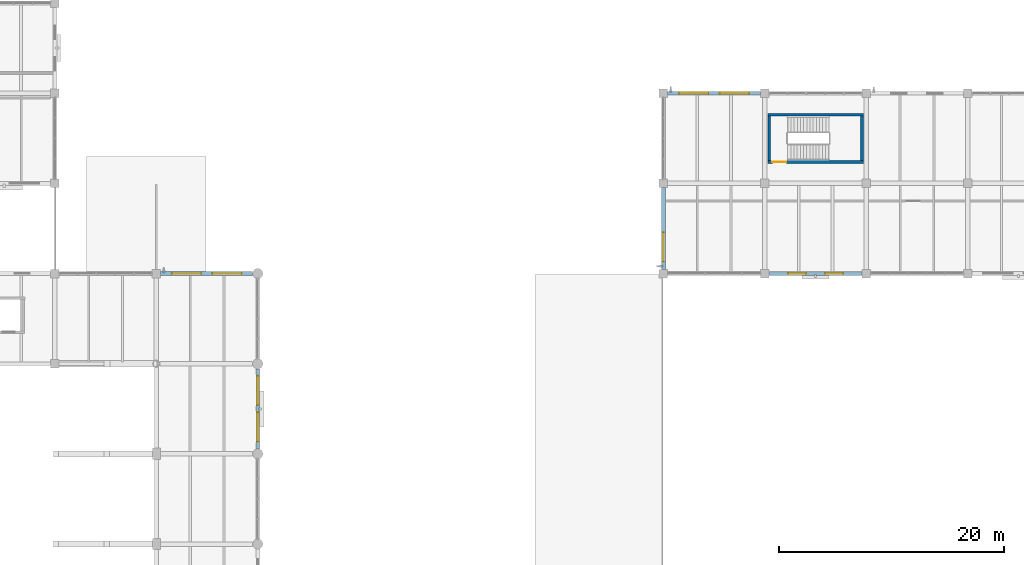
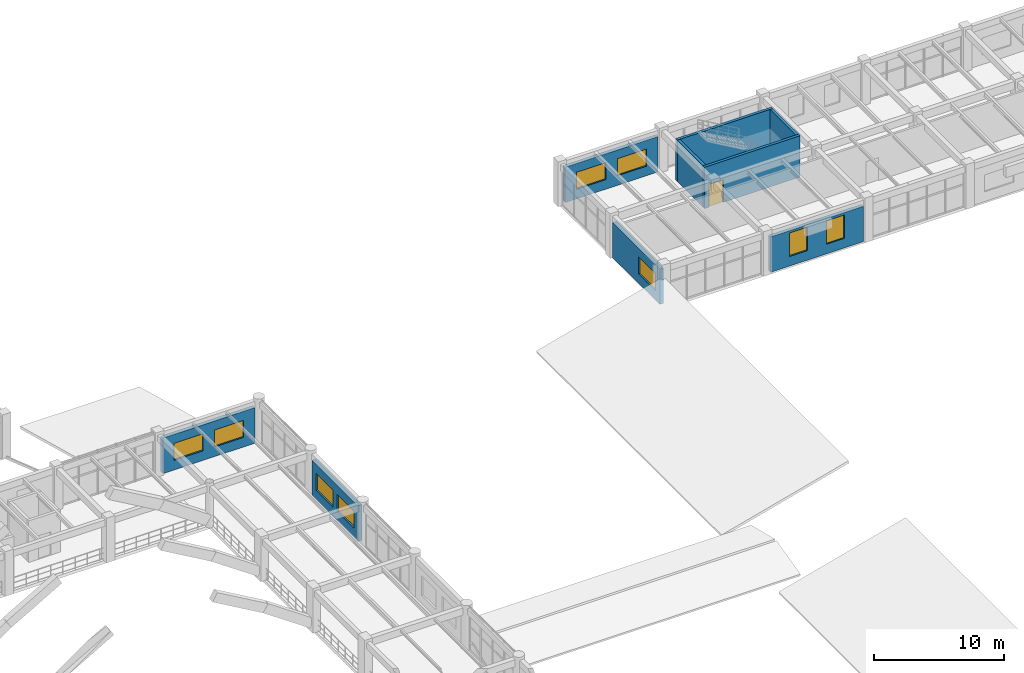
# One storey, part 127 of 148: 9 walls, 9 windows, 1 door, 10 openings.
"""IFC4 building model written with IfcOpenShell, lengths in metres."""

from ifc_helpers import new_model, si_unit, derived_unit, direction, frame, frame_2d, origin, place, context, subcontext, project, spatial, rectangle, extrude, material, layer, layer_set, type_object, element, fill, save


model = new_model("IFC4")

# Units and contexts
model_context = context("Model", 3, precision=1e-05, world=origin(), true_north=direction((0.0, 1.0)))
body_context = subcontext(model_context, "Body", "Model", "MODEL_VIEW")
ifc_project = project(units=[si_unit("LENGTHUNIT", "METRE"), si_unit("AREAUNIT", "SQUARE_METRE"), si_unit("VOLUMEUNIT", "CUBIC_METRE"), si_unit("PLANEANGLEUNIT", "RADIAN"), si_unit("MASSUNIT", "GRAM", prefix="KILO"), derived_unit("THERMALTRANSMITTANCEUNIT", [(si_unit("MASSUNIT", "GRAM", prefix="KILO"), 1), (si_unit("TIMEUNIT", "SECOND"), -3), (si_unit("THERMODYNAMICTEMPERATUREUNIT", "KELVIN"), -1)])], contexts=[model_context])

# Site, building, storey
site_placement = place(None, origin())
site = spatial("IfcSite", under=ifc_project, at=site_placement, CompositionType="ELEMENT")
building_placement = place(site_placement, origin())
building = spatial("IfcBuilding", under=site, at=building_placement, Name="Zhenchuan Archway Interchange", CompositionType="ELEMENT")
storey_placement = place(building_placement, frame((0.0, 0.0, 10.199951171875)))
storey = spatial("IfcBuildingStorey", under=building, at=storey_placement, Name="L02", CompositionType="ELEMENT", Elevation=10.199951171875)

# Wall, openings, windows
ifc_material_1 = material(Name="Granite Stone Cladding", Category="masonry")
ifc_layer_1 = layer(ifc_material_1, 0.320068359375)
ifc_layer_set_1 = layer_set([ifc_layer_1], Name="Granite Stone Cladding")
wall_type_1 = type_object("IfcWallType", Name="EW_GRANITE_320", PredefinedType="STANDARD", material=ifc_layer_set_1)
wall_1_placement = place(storey_placement, frame((125.626953125, 88.0, 0.0), z_axis=(0.0, 0.0, 1.0), x_axis=(-1.0, 0.0, 0.0)))
wall_1 = element("IfcWall", 1, at=wall_1_placement, inside=storey, type_object=wall_type_1, Name="Exterior wall L02-075", PredefinedType="STANDARD", context=body_context, shape_type="SweptSolid", body=[
    extrude(rectangle(XDim=8.25390625, YDim=0.320068359375, at=frame_2d((4.126953125, 0.0))), origin(), (0.0, 0.0, 1.0), 3.320068359375),
])
opening_1_placement = place(wall_1_placement, frame((1.684814453125, 0.0, 0.89990234375)))
opening_1 = element("IfcOpeningElement", 2, at=opening_1_placement, cuts=wall_1, Name="Opening W-04", PredefinedType="OPENING", context=body_context, shape_type="SweptSolid", body=[
    extrude(rectangle(XDim=1.60009765625, YDim=2.199951171875, at=frame_2d((0.800048828125, 1.10009765625))), frame((0.0, 0.171875, 0.0), z_axis=(0.0, -1.0, 0.0), x_axis=(1.0, 0.0, 0.0)), (0.0, 0.0, 1.0), 0.343994140625),
])
opening_2_placement = place(wall_1_placement, frame((4.96923828125, 0.0, 0.89990234375)))
opening_2 = element("IfcOpeningElement", 3, at=opening_2_placement, cuts=wall_1, Name="Opening W-04", PredefinedType="OPENING", context=body_context, shape_type="SweptSolid", body=[
    extrude(rectangle(XDim=1.60009765625, YDim=2.199951171875, at=frame_2d((0.800048828125, 1.10009765625))), frame((0.0, 0.171875, 0.0), z_axis=(0.0, -1.0, 0.0), x_axis=(1.0, 0.0, 0.0)), (0.0, 0.0, 1.0), 0.343994140625),
])
ifc_material_2 = material(Name="Double Low-E Insulated Glazing", Category="glass")
window_type_1 = type_object("IfcWindowType", Name="WN_PUNCH_1600x2200", PartitioningType="SINGLE_PANEL", PredefinedType="WINDOW", material=ifc_material_2)
window_1_placement = place(opening_1_placement, origin())
window_1 = element("IfcWindow", 4, at=window_1_placement, inside=storey, type_object=window_type_1, Name="Window L02-0222", OverallHeight=2.199951171875, OverallWidth=1.60009765625, PartitioningType="SINGLE_PANEL", PredefinedType="WINDOW", context=body_context, shape_type="SweptSolid", body=[
    extrude(rectangle(XDim=1.60009765625, YDim=2.199951171875, at=frame_2d((0.800048828125, 1.10009765625))), frame((0.0, 0.030029296875, 0.0), z_axis=(0.0, -1.0, 0.0), x_axis=(1.0, 0.0, 0.0)), (0.0, 0.0, 1.0), 0.06005859375),
])
fill(opening_1, window_1)
window_2_placement = place(opening_2_placement, origin())
window_2 = element("IfcWindow", 5, at=window_2_placement, inside=storey, type_object=window_type_1, Name="Window L02-0223", OverallHeight=2.199951171875, OverallWidth=1.60009765625, PartitioningType="SINGLE_PANEL", PredefinedType="WINDOW", context=body_context, shape_type="SweptSolid", body=[
    extrude(rectangle(XDim=1.60009765625, YDim=2.199951171875, at=frame_2d((0.800048828125, 1.10009765625))), frame((0.0, 0.030029296875, 0.0), z_axis=(0.0, -1.0, 0.0), x_axis=(1.0, 0.0, 0.0)), (0.0, 0.0, 1.0), 0.06005859375),
])
fill(opening_2, window_2)

# Wall, opening, window
wall_2_placement = place(storey_placement, frame((108.0, 88.373046875, 0.0), z_axis=(0.0, 0.0, 1.0), x_axis=(0.0, 1.0, 0.0)))
wall_2 = element("IfcWall", 6, at=wall_2_placement, inside=storey, type_object=wall_type_1, Name="Exterior wall L02-077", PredefinedType="STANDARD", context=body_context, shape_type="SweptSolid", body=[
    extrude(rectangle(XDim=7.25390625, YDim=0.320068359375, at=frame_2d((3.626953125, 0.0))), origin(), (0.0, 0.0, 1.0), 3.320068359375),
])
opening_3_placement = place(wall_2_placement, frame((0.684814453125, 0.0, 0.89990234375)))
opening_3 = element("IfcOpeningElement", 7, at=opening_3_placement, cuts=wall_2, Name="Opening W-09", PredefinedType="OPENING", context=body_context, shape_type="SweptSolid", body=[
    extrude(rectangle(XDim=2.60009765625, YDim=1.60009765625, at=frame_2d((1.300048828125, 0.800048828125))), frame((0.0, 0.171875, 0.0), z_axis=(0.0, -1.0, 0.0), x_axis=(1.0, 0.0, 0.0)), (0.0, 0.0, 1.0), 0.343994140625),
])
window_type_2 = type_object("IfcWindowType", Name="WN_MOD_2600x1600", PartitioningType="SINGLE_PANEL", PredefinedType="WINDOW", material=ifc_material_2)
window_3_placement = place(opening_3_placement, origin())
window_3 = element("IfcWindow", 8, at=window_3_placement, inside=storey, type_object=window_type_2, Name="Window L02-0224", OverallHeight=1.60009765625, OverallWidth=2.60009765625, PartitioningType="SINGLE_PANEL", PredefinedType="WINDOW", context=body_context, shape_type="SweptSolid", body=[
    extrude(rectangle(XDim=2.60009765625, YDim=1.60009765625, at=frame_2d((1.300048828125, 0.800048828125))), frame((0.0, 0.030029296875, 0.0), z_axis=(0.0, -1.0, 0.0), x_axis=(1.0, 0.0, 0.0)), (0.0, 0.0, 1.0), 0.06005859375),
])
fill(opening_3, window_3)

# Wall, openings, windows
wall_3_placement = place(storey_placement, frame((108.373046875, 104.0, 0.0), z_axis=(0.0, 0.0, 1.0), x_axis=(1.0, 0.0, 0.0)))
wall_3 = element("IfcWall", 9, at=wall_3_placement, inside=storey, type_object=wall_type_1, Name="Exterior wall L02-079", PredefinedType="STANDARD", context=body_context, shape_type="SweptSolid", body=[
    extrude(rectangle(XDim=8.25390625, YDim=0.320068359375, at=frame_2d((4.126953125, 0.0))), origin(), (0.0, 0.0, 1.0), 3.320068359375),
])
opening_4_placement = place(wall_3_placement, frame((1.01806640625, 0.0, 0.89990234375)))
opening_4 = element("IfcOpeningElement", 10, at=opening_4_placement, cuts=wall_3, Name="Opening W-09", PredefinedType="OPENING", context=body_context, shape_type="SweptSolid", body=[
    extrude(rectangle(XDim=2.60009765625, YDim=1.60009765625, at=frame_2d((1.300048828125, 0.800048828125))), frame((0.0, 0.171875, 0.0), z_axis=(0.0, -1.0, 0.0), x_axis=(1.0, 0.0, 0.0)), (0.0, 0.0, 1.0), 0.343994140625),
])
opening_5_placement = place(wall_3_placement, frame((4.635986328125, 0.0, 0.89990234375)))
opening_5 = element("IfcOpeningElement", 11, at=opening_5_placement, cuts=wall_3, Name="Opening W-09", PredefinedType="OPENING", context=body_context, shape_type="SweptSolid", body=[
    extrude(rectangle(XDim=2.60009765625, YDim=1.60009765625, at=frame_2d((1.300048828125, 0.800048828125))), frame((0.0, 0.171875, 0.0), z_axis=(0.0, -1.0, 0.0), x_axis=(1.0, 0.0, 0.0)), (0.0, 0.0, 1.0), 0.343994140625),
])
window_4_placement = place(opening_4_placement, origin())
window_4 = element("IfcWindow", 12, at=window_4_placement, inside=storey, type_object=window_type_2, Name="Window L02-0225", OverallHeight=1.60009765625, OverallWidth=2.60009765625, PartitioningType="SINGLE_PANEL", PredefinedType="WINDOW", context=body_context, shape_type="SweptSolid", body=[
    extrude(rectangle(XDim=2.60009765625, YDim=1.60009765625, at=frame_2d((1.300048828125, 0.800048828125))), frame((0.0, 0.030029296875, 0.0), z_axis=(0.0, -1.0, 0.0), x_axis=(1.0, 0.0, 0.0)), (0.0, 0.0, 1.0), 0.06005859375),
])
fill(opening_4, window_4)
window_5_placement = place(opening_5_placement, origin())
window_5 = element("IfcWindow", 13, at=window_5_placement, inside=storey, type_object=window_type_2, Name="Window L02-0226", OverallHeight=1.60009765625, OverallWidth=2.60009765625, PartitioningType="SINGLE_PANEL", PredefinedType="WINDOW", context=body_context, shape_type="SweptSolid", body=[
    extrude(rectangle(XDim=2.60009765625, YDim=1.60009765625, at=frame_2d((1.300048828125, 0.800048828125))), frame((0.0, 0.030029296875, 0.0), z_axis=(0.0, -1.0, 0.0), x_axis=(1.0, 0.0, 0.0)), (0.0, 0.0, 1.0), 0.06005859375),
])
fill(opening_5, window_5)

ifc_material_3 = material(Name="Terracotta Masonry", Category="masonry")
ifc_layer_2 = layer(ifc_material_3, 0.340087890625)
ifc_layer_set_2 = layer_set([ifc_layer_2], Name="Terracotta Masonry")
wall_type_2 = type_object("IfcWallType", Name="EW_TERRA_340", PredefinedType="STANDARD", material=ifc_layer_set_2)
wall_4_placement = place(storey_placement, frame((63.373046875, 88.0, 0.0), z_axis=(0.0, 0.0, 1.0), x_axis=(1.0, 0.0, 0.0)))
wall_4 = element("IfcWall", 14, at=wall_4_placement, inside=storey, type_object=wall_type_2, Name="Exterior wall L02-017", PredefinedType="STANDARD", context=body_context, shape_type="SweptSolid", body=[
    extrude(rectangle(XDim=8.179931640625, YDim=0.340087890625, at=frame_2d((4.08984375, 0.0))), origin(), (0.0, 0.0, 1.0), 3.340087890625),
])
opening_6_placement = place(wall_4_placement, frame((0.993408203125, 0.0, 0.89990234375)))
opening_6 = element("IfcOpeningElement", 15, at=opening_6_placement, cuts=wall_4, Name="Opening W-09", PredefinedType="OPENING", context=body_context, shape_type="SweptSolid", body=[
    extrude(rectangle(XDim=2.60009765625, YDim=1.60009765625, at=frame_2d((1.300048828125, 0.800048828125))), frame((0.0, 0.18212890625, 0.0), z_axis=(0.0, -1.0, 0.0), x_axis=(1.0, 0.0, 0.0)), (0.0, 0.0, 1.0), 0.364013671875),
])
opening_7_placement = place(wall_4_placement, frame((4.586669921875, 0.0, 0.89990234375)))
opening_7 = element("IfcOpeningElement", 16, at=opening_7_placement, cuts=wall_4, Name="Opening W-09", PredefinedType="OPENING", context=body_context, shape_type="SweptSolid", body=[
    extrude(rectangle(XDim=2.60009765625, YDim=1.60009765625, at=frame_2d((1.300048828125, 0.800048828125))), frame((0.0, 0.18212890625, 0.0), z_axis=(0.0, -1.0, 0.0), x_axis=(1.0, 0.0, 0.0)), (0.0, 0.0, 1.0), 0.364013671875),
])
window_6_placement = place(opening_6_placement, origin())
window_6 = element("IfcWindow", 17, at=window_6_placement, inside=storey, type_object=window_type_2, Name="Window L02-0198", OverallHeight=1.60009765625, OverallWidth=2.60009765625, PartitioningType="SINGLE_PANEL", PredefinedType="WINDOW", context=body_context, shape_type="SweptSolid", body=[
    extrude(rectangle(XDim=2.60009765625, YDim=1.60009765625, at=frame_2d((1.300048828125, 0.800048828125))), frame((0.0, 0.030029296875, 0.0), z_axis=(0.0, -1.0, 0.0), x_axis=(1.0, 0.0, 0.0)), (0.0, 0.0, 1.0), 0.06005859375),
])
fill(opening_6, window_6)
window_7_placement = place(opening_7_placement, origin())
window_7 = element("IfcWindow", 18, at=window_7_placement, inside=storey, type_object=window_type_2, Name="Window L02-0199", OverallHeight=1.60009765625, OverallWidth=2.60009765625, PartitioningType="SINGLE_PANEL", PredefinedType="WINDOW", context=body_context, shape_type="SweptSolid", body=[
    extrude(rectangle(XDim=2.60009765625, YDim=1.60009765625, at=frame_2d((1.300048828125, 0.800048828125))), frame((0.0, 0.030029296875, 0.0), z_axis=(0.0, -1.0, 0.0), x_axis=(1.0, 0.0, 0.0)), (0.0, 0.0, 1.0), 0.06005859375),
])
fill(opening_7, window_7)

wall_5_placement = place(storey_placement, frame((72.0, 79.552978515625, 0.0), z_axis=(0.0, 0.0, 1.0), x_axis=(0.0, -1.0, 0.0)))
wall_5 = element("IfcWall", 19, at=wall_5_placement, inside=storey, type_object=wall_type_2, Name="Exterior wall L02-019", PredefinedType="STANDARD", context=body_context, shape_type="SweptSolid", body=[
    extrude(rectangle(XDim=7.10595703125, YDim=0.340087890625, at=frame_2d((3.552978515625, 0.0))), origin(), (0.0, 0.0, 1.0), 3.340087890625),
])
opening_8_placement = place(wall_5_placement, frame((0.63525390625, 0.0, 0.89990234375)))
opening_8 = element("IfcOpeningElement", 20, at=opening_8_placement, cuts=wall_5, Name="Opening W-09", PredefinedType="OPENING", context=body_context, shape_type="SweptSolid", body=[
    extrude(rectangle(XDim=2.60009765625, YDim=1.60009765625, at=frame_2d((1.300048828125, 0.800048828125))), frame((0.0, 0.18212890625, 0.0), z_axis=(0.0, -1.0, 0.0), x_axis=(1.0, 0.0, 0.0)), (0.0, 0.0, 1.0), 0.364013671875),
])
opening_9_placement = place(wall_5_placement, frame((3.87060546875, 0.0, 0.89990234375)))
opening_9 = element("IfcOpeningElement", 21, at=opening_9_placement, cuts=wall_5, Name="Opening W-09", PredefinedType="OPENING", context=body_context, shape_type="SweptSolid", body=[
    extrude(rectangle(XDim=2.60009765625, YDim=1.60009765625, at=frame_2d((1.300048828125, 0.800048828125))), frame((0.0, 0.18212890625, 0.0), z_axis=(0.0, -1.0, 0.0), x_axis=(1.0, 0.0, 0.0)), (0.0, 0.0, 1.0), 0.364013671875),
])
window_8_placement = place(opening_8_placement, origin())
window_8 = element("IfcWindow", 22, at=window_8_placement, inside=storey, type_object=window_type_2, Name="Window L02-0200", OverallHeight=1.60009765625, OverallWidth=2.60009765625, PartitioningType="SINGLE_PANEL", PredefinedType="WINDOW", context=body_context, shape_type="SweptSolid", body=[
    extrude(rectangle(XDim=2.60009765625, YDim=1.60009765625, at=frame_2d((1.300048828125, 0.800048828125))), frame((0.0, 0.030029296875, 0.0), z_axis=(0.0, -1.0, 0.0), x_axis=(1.0, 0.0, 0.0)), (0.0, 0.0, 1.0), 0.06005859375),
])
fill(opening_8, window_8)
window_9_placement = place(opening_9_placement, origin())
window_9 = element("IfcWindow", 23, at=window_9_placement, inside=storey, type_object=window_type_2, Name="Window L02-0201", OverallHeight=1.60009765625, OverallWidth=2.60009765625, PartitioningType="SINGLE_PANEL", PredefinedType="WINDOW", context=body_context, shape_type="SweptSolid", body=[
    extrude(rectangle(XDim=2.60009765625, YDim=1.60009765625, at=frame_2d((1.300048828125, 0.800048828125))), frame((0.0, 0.030029296875, 0.0), z_axis=(0.0, -1.0, 0.0), x_axis=(1.0, 0.0, 0.0)), (0.0, 0.0, 1.0), 0.06005859375),
])
fill(opening_9, window_9)

# Wall, opening, door
ifc_material_4 = material(Name="Concrete C40", Category="concrete")
ifc_layer_3 = layer(ifc_material_4, 0.25)
ifc_layer_set_3 = layer_set([ifc_layer_3], Name="Concrete C40")
wall_type_3 = type_object("IfcWallType", Name="WL_STAIR_250", PredefinedType="SHEAR", material=ifc_layer_set_3)
wall_6_placement = place(storey_placement, frame((117.2548828125, 97.89990234375, 0.0), z_axis=(0.0, 0.0, 1.0), x_axis=(1.0, 0.0, 0.0)))
wall_6 = element("IfcWall", 24, at=wall_6_placement, inside=storey, type_object=wall_type_3, Name="Stair ST-O6 south wall (L02)", PredefinedType="SHEAR", context=body_context, shape_type="SweptSolid", body=[
    extrude(rectangle(XDim=8.490234375, YDim=0.25, at=frame_2d((4.2451171875, 0.0))), origin(), (0.0, 0.0, 1.0), 3.89013671875),
])
opening_10_placement = place(wall_6_placement, frame((0.405029296875, 0.0, 0.0)))
opening_10 = element("IfcOpeningElement", 25, at=opening_10_placement, cuts=wall_6, Name="Opening FD-01", PredefinedType="OPENING", context=body_context, shape_type="SweptSolid", body=[
    extrude(rectangle(XDim=1.25, YDim=2.14990234375, at=frame_2d((0.625, 1.074951171875))), frame((0.0, 0.136962890625, 0.0), z_axis=(0.0, -1.0, 0.0), x_axis=(1.0, 0.0, 0.0)), (0.0, 0.0, 1.0), 0.27392578125),
])
ifc_material_5 = material(Name="Painted Galvanised Steel", Category="steel")
door_type = type_object("IfcDoorType", Name="DR_STAIR_FD90", OperationType="NOTDEFINED", PredefinedType="DOOR", material=ifc_material_5)
door_placement = place(opening_10_placement, origin())
door = element("IfcDoor", 26, at=door_placement, inside=storey, type_object=door_type, Name="Stair ST-O6 fire door (L02)", OperationType="SINGLE_SWING_RIGHT", OverallHeight=2.14990234375, OverallWidth=1.25, PredefinedType="DOOR", context=body_context, shape_type="SweptSolid", body=[
    extrude(rectangle(XDim=1.25, YDim=2.14990234375, at=frame_2d((0.625, 1.074951171875))), frame((0.0, 0.02490234375, 0.0), z_axis=(0.0, -1.0, 0.0), x_axis=(1.0, 0.0, 0.0)), (0.0, 0.0, 1.0), 0.050048828125),
])
fill(opening_10, door)

# Walls
wall_7_placement = place(storey_placement, frame((125.7451171875, 102.10009765625, 0.0), z_axis=(0.0, 0.0, 1.0), x_axis=(-1.0, 0.0, 0.0)))
element("IfcWall", 27, at=wall_7_placement, inside=storey, type_object=wall_type_3, Name="Stair ST-O6 north wall (L02)", PredefinedType="SHEAR", context=body_context, shape_type="SweptSolid", body=[
    extrude(rectangle(XDim=8.490234375, YDim=0.25, at=frame_2d((4.2451171875, 0.0))), origin(), (0.0, 0.0, 1.0), 3.89013671875),
])
for number, where, z_axis, x_axis, name in (
    (28, (117.3798828125, 101.97509765625, 0.0), (0.0, 0.0, 1.0), (0.0, -1.0, 0.0), "Stair ST-O6 west wall (L02)"),
    (29, (125.6201171875, 98.02490234375, 0.0), (0.0, 0.0, 1.0), (0.0, 1.0, 0.0), "Stair ST-O6 east wall (L02)"),
):
    element("IfcWall", number, at=place(storey_placement, frame(where, z_axis=z_axis, x_axis=x_axis)), inside=storey, type_object=wall_type_3, Name=name, PredefinedType="SHEAR", context=body_context, shape_type="SweptSolid", body=[
        extrude(rectangle(XDim=3.9501953125, YDim=0.25, at=frame_2d((1.97509765625, 0.0))), origin(), (0.0, 0.0, 1.0), 3.89013671875),
    ])

save(model, "model.ifc")
